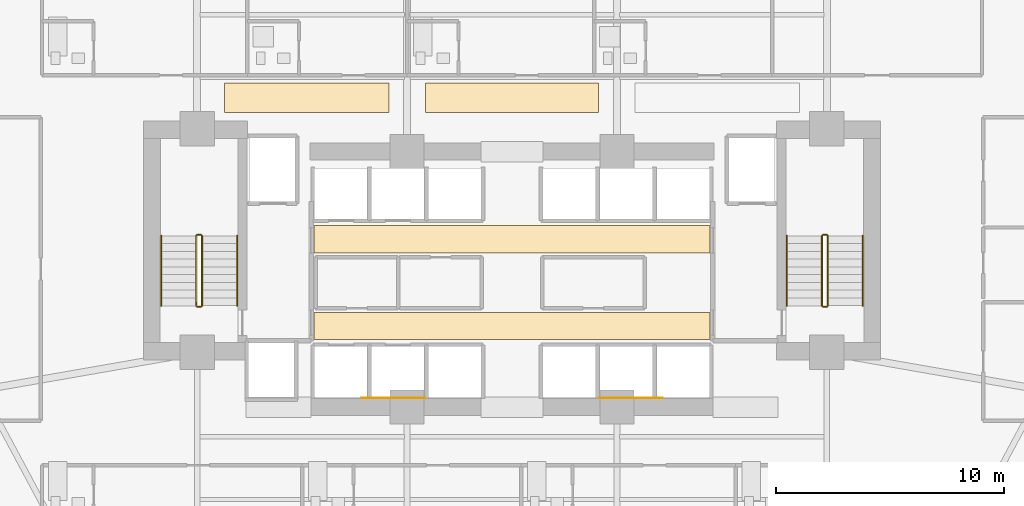
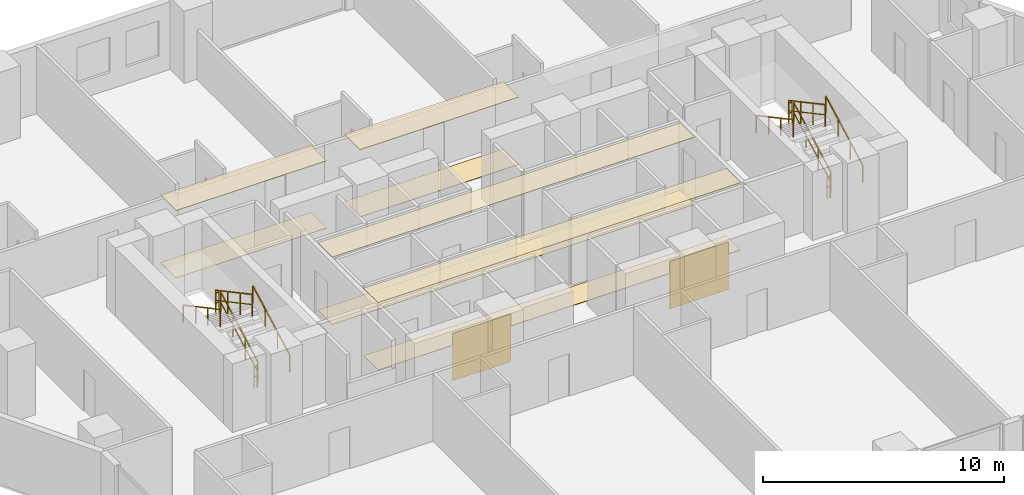
# One storey, part 25 of 27: 12 railings, 10 coverings.
"""IFC4 building model written with IfcOpenShell, lengths in metres."""

from ifc_helpers import new_model, si_unit, direction, frame, origin, origin_2d, place, context, subcontext, project, spatial, polyline, rectangle, outline, extrude, material, layer, layer_set, type_object, element, save


model = new_model("IFC4")

# Units and contexts
model_context = context("Model", 3, precision=1e-05, world=origin(), true_north=direction((0.0, 1.0)))
body_context = subcontext(model_context, "Body", "Model", "MODEL_VIEW")
ifc_project = project(units=[si_unit("LENGTHUNIT", "METRE"), si_unit("AREAUNIT", "SQUARE_METRE"), si_unit("VOLUMEUNIT", "CUBIC_METRE"), si_unit("PLANEANGLEUNIT", "RADIAN"), si_unit("MASSUNIT", "GRAM", prefix="KILO")], contexts=[model_context])

# Site, building, storey
site_placement = place(None, origin())
site = spatial("IfcSite", under=ifc_project, at=site_placement, CompositionType="ELEMENT")
building_placement = place(site_placement, origin())
building = spatial("IfcBuilding", under=site, at=building_placement, Name="Zuhayl Quay Hotel", CompositionType="ELEMENT")
storey_placement = place(building_placement, frame((0.0, 0.0, 124.85009765625)))
storey = spatial("IfcBuildingStorey", under=building, at=storey_placement, Name="L31", CompositionType="ELEMENT", Elevation=124.85009765625)

# Coverings
ifc_material_1 = material(Name="Acoustic Mineral-Fibre Gypsum Board")
ifc_layer_1 = layer(ifc_material_1, 0.02490234375, Name="Acoustic Mineral-Fibre Gypsum Board")
ifc_layer_set_1 = layer_set([ifc_layer_1], Name="Acoustic Mineral-Fibre Gypsum Board")
covering_type_1 = type_object("IfcCoveringType", Name="CV_CEIL_ACOUSTIC", PredefinedType="CEILING", material=ifc_layer_set_1)
covering_1_placement = place(storey_placement, frame((0.0, 0.0, 3.40478515625)))
element("IfcCovering", 1, at=covering_1_placement, inside=storey, type_object=covering_type_1, Name="L31 Suspended Acoustic Lobby Ceiling S", PredefinedType="CEILING", context=body_context, shape_type="SweptSolid", body=[
    extrude(outline(polyline([(-8.679931640625, 5.10009765625), (8.679931640625, 5.10009765625), (8.679931640625, 6.300048828125), (-8.679931640625, 6.300048828125), (-8.679931640625, 5.10009765625)])), origin(), (0.0, 0.0, 1.0), 0.025146484375),
])
covering_2_placement = place(storey_placement, frame((0.0, 0.0, 3.40478515625)))
element("IfcCovering", 2, at=covering_2_placement, inside=storey, type_object=covering_type_1, Name="L31 Suspended Acoustic Lobby Ceiling N", PredefinedType="CEILING", context=body_context, shape_type="SweptSolid", body=[
    extrude(outline(polyline([(-8.679931640625, 8.89990234375), (8.679931640625, 8.89990234375), (8.679931640625, 10.10009765625), (-8.679931640625, 10.10009765625), (-8.679931640625, 8.89990234375)])), origin(), (0.0, 0.0, 1.0), 0.025146484375),
])
covering_3_placement = place(storey_placement, frame((0.0, 0.0, 3.40478515625)))
element("IfcCovering", 3, at=covering_3_placement, inside=storey, type_object=covering_type_1, Name="L31 Guest Corridor Acoustic Ceiling CW", PredefinedType="CEILING", context=body_context, shape_type="SweptSolid", body=[
    extrude(outline(polyline([(-12.60009765625, 15.050048828125), (-5.39990234375, 15.050048828125), (-5.39990234375, 16.35009765625), (-12.60009765625, 16.35009765625), (-12.60009765625, 15.050048828125)])), origin(), (0.0, 0.0, 1.0), 0.025146484375),
])
covering_4_placement = place(storey_placement, frame((0.0, 0.0, 3.40478515625)))
element("IfcCovering", 4, at=covering_4_placement, inside=storey, type_object=covering_type_1, Name="L31 Guest Corridor Acoustic Ceiling CC", PredefinedType="CEILING", context=body_context, shape_type="SweptSolid", body=[
    extrude(outline(polyline([(-3.800048828125, 15.050048828125), (3.800048828125, 15.050048828125), (3.800048828125, 16.35009765625), (-3.800048828125, 16.35009765625), (-3.800048828125, 15.050048828125)])), origin(), (0.0, 0.0, 1.0), 0.025146484375),
])
ifc_material_2 = material(Name="Polished Limestone Terrazzo", Category="masonry")
ifc_layer_2 = layer(ifc_material_2, 0.02001953125, Name="Polished Limestone Terrazzo", Category="masonry")
ifc_layer_set_2 = layer_set([ifc_layer_2], Name="Polished Limestone Terrazzo")
covering_type_2 = type_object("IfcCoveringType", Name="CV_FLOOR_TERRAZZO", PredefinedType="FLOORING", material=ifc_layer_set_2)
covering_5_placement = place(storey_placement, origin())
element("IfcCovering", 5, at=covering_5_placement, inside=storey, type_object=covering_type_2, Name="L31 Honed Limestone Terrazzo Lobby Flooring S", PredefinedType="FLOORING", context=body_context, shape_type="SweptSolid", body=[
    extrude(outline(polyline([(-8.679931640625, 5.10009765625), (8.679931640625, 5.10009765625), (8.679931640625, 6.300048828125), (-8.679931640625, 6.300048828125), (-8.679931640625, 5.10009765625)])), origin(), (0.0, 0.0, 1.0), 0.02001953125),
])
covering_6_placement = place(storey_placement, origin())
element("IfcCovering", 6, at=covering_6_placement, inside=storey, type_object=covering_type_2, Name="L31 Honed Limestone Terrazzo Lobby Flooring N", PredefinedType="FLOORING", context=body_context, shape_type="SweptSolid", body=[
    extrude(outline(polyline([(-8.679931640625, 8.89990234375), (8.679931640625, 8.89990234375), (8.679931640625, 10.10009765625), (-8.679931640625, 10.10009765625), (-8.679931640625, 8.89990234375)])), origin(), (0.0, 0.0, 1.0), 0.02001953125),
])
covering_7_placement = place(storey_placement, origin())
element("IfcCovering", 7, at=covering_7_placement, inside=storey, type_object=covering_type_2, Name="L31 Guest Corridor Terrazzo Runner CW", PredefinedType="FLOORING", context=body_context, shape_type="SweptSolid", body=[
    extrude(outline(polyline([(-12.60009765625, 15.050048828125), (-5.39990234375, 15.050048828125), (-5.39990234375, 16.35009765625), (-12.60009765625, 16.35009765625), (-12.60009765625, 15.050048828125)])), origin(), (0.0, 0.0, 1.0), 0.02001953125),
])
covering_8_placement = place(storey_placement, origin())
element("IfcCovering", 8, at=covering_8_placement, inside=storey, type_object=covering_type_2, Name="L31 Guest Corridor Terrazzo Runner CC", PredefinedType="FLOORING", context=body_context, shape_type="SweptSolid", body=[
    extrude(outline(polyline([(-3.800048828125, 15.050048828125), (3.800048828125, 15.050048828125), (3.800048828125, 16.35009765625), (-3.800048828125, 16.35009765625), (-3.800048828125, 15.050048828125)])), origin(), (0.0, 0.0, 1.0), 0.02001953125),
])
ifc_material_3 = material(Name="Acoustic Walnut Feature Timber", Category="wood")
ifc_layer_3 = layer(ifc_material_3, 0.02197265625, Name="Acoustic Walnut Feature Timber", Category="wood")
ifc_layer_set_3 = layer_set([ifc_layer_3], Name="Acoustic Walnut Feature Timber")
covering_type_3 = type_object("IfcCoveringType", Name="CV_WALL_CLAD", PredefinedType="CLADDING", material=ifc_layer_set_3)
for number, where, z_axis, x_axis, name in (
    (9, (-5.199951171875, 2.535888671875, 0.300048828125), (0.0, 0.0, 1.0), (1.0, 0.0, 0.0), "L31 Feature Lobby Walnut Wall Cladding W"),
    (10, (5.199951171875, 2.535888671875, 0.300048828125), (0.0, 0.0, 1.0), (1.0, 0.0, 0.0), "L31 Feature Lobby Walnut Wall Cladding E"),
):
    element("IfcCovering", number, at=place(storey_placement, frame(where, z_axis=z_axis, x_axis=x_axis)), inside=storey, type_object=covering_type_3, Name=name, PredefinedType="CLADDING", context=body_context, shape_type="SweptSolid", body=[
        extrude(rectangle(XDim=2.800048828125, YDim=0.02197265625, at=origin_2d()), origin(), (0.0, 0.0, 1.0), 2.39990234375),
    ])

# Railings
ifc_material_4 = material(Name="Steel ASTM A992 Grade 50", Category="steel")
railing_type_1 = type_object("IfcRailingType", Name="RL_GUARD_1100", PredefinedType="GUARDRAIL", material=ifc_material_4)
railing_1_placement = place(storey_placement, frame((-13.590087890625, 6.590087890625, 0.182373046875)))
element("IfcRailing", 11, at=railing_1_placement, inside=storey, type_object=railing_type_1, Name="L31 ST1 stair guard 1", PredefinedType="GUARDRAIL", context=body_context, shape_type="SweptSolid", body=[
    extrude(rectangle(XDim=0.048095703125, YDim=0.048095703125, at=origin_2d()), frame((0.0, 0.0, 1.09619140625), z_axis=(0.0, 0.88107310026, 0.472980117973), x_axis=(-1.0, 0.0, 0.0)), (0.0, 0.0, 1.0), 3.472900390625),
    extrude(rectangle(XDim=0.0361328125, YDim=0.0361328125, at=origin_2d()), frame((0.0, 0.0, 0.58251953125), z_axis=(0.0, 0.88107310026, 0.472980117973), x_axis=(-1.0, 0.0, 0.0)), (0.0, 0.0, 1.0), 3.472900390625),
    extrude(rectangle(XDim=0.0419921875, YDim=0.0419921875, at=origin_2d()), origin(), (0.0, 0.0, 1.0), 1.072021484375),
    extrude(rectangle(XDim=0.0419921875, YDim=0.0419921875, at=origin_2d()), frame((0.0, 1.02001953125, 0.547607421875)), (0.0, 0.0, 1.0), 1.072021484375),
    extrude(rectangle(XDim=0.0419921875, YDim=0.0419921875, at=origin_2d()), frame((0.0, 2.039794921875, 1.094970703125)), (0.0, 0.0, 1.0), 1.072021484375),
    extrude(rectangle(XDim=0.0419921875, YDim=0.0419921875, at=origin_2d()), frame((0.0, 3.059814453125, 1.642578125)), (0.0, 0.0, 1.0), 1.072021484375),
])
railing_2_placement = place(storey_placement, frame((-13.639892578125, 9.699951171875, 1.824951171875)))
element("IfcRailing", 12, at=railing_2_placement, inside=storey, type_object=railing_type_1, Name="L31 ST1 stair guard 2", PredefinedType="GUARDRAIL", context=body_context, shape_type="SweptSolid", body=[
    extrude(rectangle(XDim=0.048095703125, YDim=0.048095703125, at=origin_2d()), frame((0.0, 0.0, 1.09619140625), z_axis=(-1.0, 0.0, 0.0), x_axis=(0.0, -1.0, 0.0)), (0.0, 0.0, 1.0), 0.150146484375),
    extrude(rectangle(XDim=0.0361328125, YDim=0.0361328125, at=origin_2d()), frame((0.0, 0.0, 0.58251953125), z_axis=(-1.0, 0.0, 0.0), x_axis=(0.0, -1.0, 0.0)), (0.0, 0.0, 1.0), 0.150146484375),
    extrude(rectangle(XDim=0.0419921875, YDim=0.0419921875, at=origin_2d()), origin(), (0.0, 0.0, 1.0), 1.072021484375),
    extrude(rectangle(XDim=0.0419921875, YDim=0.0419921875, at=origin_2d()), frame((-0.150146484375, 0.0, 0.0)), (0.0, 0.0, 1.0), 1.072021484375),
])
railing_3_placement = place(storey_placement, frame((-13.840087890625, 9.64990234375, 2.00732421875)))
element("IfcRailing", 13, at=railing_3_placement, inside=storey, type_object=railing_type_1, Name="L31 ST1 stair guard 3", PredefinedType="GUARDRAIL", context=body_context, shape_type="SweptSolid", body=[
    extrude(rectangle(XDim=0.048095703125, YDim=0.048095703125, at=origin_2d()), frame((0.0, 0.0, 1.09619140625), z_axis=(0.0, -0.88107310026, 0.472980117973), x_axis=(1.0, 0.0, 0.0)), (0.0, 0.0, 1.0), 3.472900390625),
    extrude(rectangle(XDim=0.0361328125, YDim=0.0361328125, at=origin_2d()), frame((0.0, 0.0, 0.58251953125), z_axis=(0.0, -0.88107310026, 0.472980117973), x_axis=(1.0, 0.0, 0.0)), (0.0, 0.0, 1.0), 3.472900390625),
    extrude(rectangle(XDim=0.0419921875, YDim=0.0419921875, at=origin_2d()), origin(), (0.0, 0.0, 1.0), 1.072021484375),
    extrude(rectangle(XDim=0.0419921875, YDim=0.0419921875, at=origin_2d()), frame((0.0, -1.02001953125, 0.547607421875)), (0.0, 0.0, 1.0), 1.072021484375),
    extrude(rectangle(XDim=0.0419921875, YDim=0.0419921875, at=origin_2d()), frame((0.0, -2.039794921875, 1.094970703125)), (0.0, 0.0, 1.0), 1.072021484375),
    extrude(rectangle(XDim=0.0419921875, YDim=0.0419921875, at=origin_2d()), frame((0.0, -3.059814453125, 1.642578125)), (0.0, 0.0, 1.0), 1.072021484375),
])
railing_4_placement = place(storey_placement, frame((-13.639892578125, 6.5400390625, 0.0)))
element("IfcRailing", 14, at=railing_4_placement, inside=storey, type_object=railing_type_1, Name="L31 ST1 stair guard 4", PredefinedType="GUARDRAIL", context=body_context, shape_type="SweptSolid", body=[
    extrude(rectangle(XDim=0.048095703125, YDim=0.048095703125, at=origin_2d()), frame((0.0, 0.0, 1.09619140625), z_axis=(-1.0, 0.0, 0.0), x_axis=(0.0, -1.0, 0.0)), (0.0, 0.0, 1.0), 0.150146484375),
    extrude(rectangle(XDim=0.0361328125, YDim=0.0361328125, at=origin_2d()), frame((0.0, 0.0, 0.58251953125), z_axis=(-1.0, 0.0, 0.0), x_axis=(0.0, -1.0, 0.0)), (0.0, 0.0, 1.0), 0.150146484375),
    extrude(rectangle(XDim=0.0419921875, YDim=0.0419921875, at=origin_2d()), origin(), (0.0, 0.0, 1.0), 1.072021484375),
    extrude(rectangle(XDim=0.0419921875, YDim=0.0419921875, at=origin_2d()), frame((-0.150146484375, 0.0, 0.0)), (0.0, 0.0, 1.0), 1.072021484375),
])
railing_5_placement = place(storey_placement, frame((13.840087890625, 6.590087890625, 0.182373046875)))
element("IfcRailing", 15, at=railing_5_placement, inside=storey, type_object=railing_type_1, Name="L31 ST2 stair guard 1", PredefinedType="GUARDRAIL", context=body_context, shape_type="SweptSolid", body=[
    extrude(rectangle(XDim=0.048095703125, YDim=0.048095703125, at=origin_2d()), frame((0.0, 0.0, 1.09619140625), z_axis=(0.0, 0.88107310026, 0.472980117973), x_axis=(-1.0, 0.0, 0.0)), (0.0, 0.0, 1.0), 3.472900390625),
    extrude(rectangle(XDim=0.0361328125, YDim=0.0361328125, at=origin_2d()), frame((0.0, 0.0, 0.58251953125), z_axis=(0.0, 0.88107310026, 0.472980117973), x_axis=(-1.0, 0.0, 0.0)), (0.0, 0.0, 1.0), 3.472900390625),
    extrude(rectangle(XDim=0.0419921875, YDim=0.0419921875, at=origin_2d()), origin(), (0.0, 0.0, 1.0), 1.072021484375),
    extrude(rectangle(XDim=0.0419921875, YDim=0.0419921875, at=origin_2d()), frame((0.0, 1.02001953125, 0.547607421875)), (0.0, 0.0, 1.0), 1.072021484375),
    extrude(rectangle(XDim=0.0419921875, YDim=0.0419921875, at=origin_2d()), frame((0.0, 2.039794921875, 1.094970703125)), (0.0, 0.0, 1.0), 1.072021484375),
    extrude(rectangle(XDim=0.0419921875, YDim=0.0419921875, at=origin_2d()), frame((0.0, 3.059814453125, 1.642578125)), (0.0, 0.0, 1.0), 1.072021484375),
])
railing_6_placement = place(storey_placement, frame((13.7900390625, 9.699951171875, 1.824951171875)))
element("IfcRailing", 16, at=railing_6_placement, inside=storey, type_object=railing_type_1, Name="L31 ST2 stair guard 2", PredefinedType="GUARDRAIL", context=body_context, shape_type="SweptSolid", body=[
    extrude(rectangle(XDim=0.048095703125, YDim=0.048095703125, at=origin_2d()), frame((0.0, 0.0, 1.09619140625), z_axis=(-1.0, 0.0, 0.0), x_axis=(0.0, -1.0, 0.0)), (0.0, 0.0, 1.0), 0.150146484375),
    extrude(rectangle(XDim=0.0361328125, YDim=0.0361328125, at=origin_2d()), frame((0.0, 0.0, 0.58251953125), z_axis=(-1.0, 0.0, 0.0), x_axis=(0.0, -1.0, 0.0)), (0.0, 0.0, 1.0), 0.150146484375),
    extrude(rectangle(XDim=0.0419921875, YDim=0.0419921875, at=origin_2d()), origin(), (0.0, 0.0, 1.0), 1.072021484375),
    extrude(rectangle(XDim=0.0419921875, YDim=0.0419921875, at=origin_2d()), frame((-0.150146484375, 0.0, 0.0)), (0.0, 0.0, 1.0), 1.072021484375),
])
railing_7_placement = place(storey_placement, frame((13.590087890625, 9.64990234375, 2.00732421875)))
element("IfcRailing", 17, at=railing_7_placement, inside=storey, type_object=railing_type_1, Name="L31 ST2 stair guard 3", PredefinedType="GUARDRAIL", context=body_context, shape_type="SweptSolid", body=[
    extrude(rectangle(XDim=0.048095703125, YDim=0.048095703125, at=origin_2d()), frame((0.0, 0.0, 1.09619140625), z_axis=(0.0, -0.88107310026, 0.472980117973), x_axis=(1.0, 0.0, 0.0)), (0.0, 0.0, 1.0), 3.472900390625),
    extrude(rectangle(XDim=0.0361328125, YDim=0.0361328125, at=origin_2d()), frame((0.0, 0.0, 0.58251953125), z_axis=(0.0, -0.88107310026, 0.472980117973), x_axis=(1.0, 0.0, 0.0)), (0.0, 0.0, 1.0), 3.472900390625),
    extrude(rectangle(XDim=0.0419921875, YDim=0.0419921875, at=origin_2d()), origin(), (0.0, 0.0, 1.0), 1.072021484375),
    extrude(rectangle(XDim=0.0419921875, YDim=0.0419921875, at=origin_2d()), frame((0.0, -1.02001953125, 0.547607421875)), (0.0, 0.0, 1.0), 1.072021484375),
    extrude(rectangle(XDim=0.0419921875, YDim=0.0419921875, at=origin_2d()), frame((0.0, -2.039794921875, 1.094970703125)), (0.0, 0.0, 1.0), 1.072021484375),
    extrude(rectangle(XDim=0.0419921875, YDim=0.0419921875, at=origin_2d()), frame((0.0, -3.059814453125, 1.642578125)), (0.0, 0.0, 1.0), 1.072021484375),
])
railing_8_placement = place(storey_placement, frame((13.7900390625, 6.5400390625, 0.0)))
element("IfcRailing", 18, at=railing_8_placement, inside=storey, type_object=railing_type_1, Name="L31 ST2 stair guard 4", PredefinedType="GUARDRAIL", context=body_context, shape_type="SweptSolid", body=[
    extrude(rectangle(XDim=0.048095703125, YDim=0.048095703125, at=origin_2d()), frame((0.0, 0.0, 1.09619140625), z_axis=(-1.0, 0.0, 0.0), x_axis=(0.0, -1.0, 0.0)), (0.0, 0.0, 1.0), 0.150146484375),
    extrude(rectangle(XDim=0.0361328125, YDim=0.0361328125, at=origin_2d()), frame((0.0, 0.0, 0.58251953125), z_axis=(-1.0, 0.0, 0.0), x_axis=(0.0, -1.0, 0.0)), (0.0, 0.0, 1.0), 0.150146484375),
    extrude(rectangle(XDim=0.0419921875, YDim=0.0419921875, at=origin_2d()), origin(), (0.0, 0.0, 1.0), 1.072021484375),
    extrude(rectangle(XDim=0.0419921875, YDim=0.0419921875, at=origin_2d()), frame((-0.150146484375, 0.0, 0.0)), (0.0, 0.0, 1.0), 1.072021484375),
])
railing_type_2 = type_object("IfcRailingType", Name="RL_HANDRAIL_920", PredefinedType="HANDRAIL", material=ifc_material_4)
railing_9_placement = place(storey_placement, frame((-12.050048828125, 6.590087890625, 0.182373046875)))
element("IfcRailing", 19, at=railing_9_placement, inside=storey, type_object=railing_type_2, Name="L31 ST1 stair handrail 1", PredefinedType="HANDRAIL", context=body_context, shape_type="SweptSolid", body=[
    extrude(rectangle(XDim=0.048095703125, YDim=0.048095703125, at=origin_2d()), frame((0.0, 0.0, 0.8759765625), z_axis=(0.0, 0.88107310026, 0.472980117973), x_axis=(-1.0, 0.0, 0.0)), (0.0, 0.0, 1.0), 3.472900390625),
    extrude(rectangle(XDim=0.0419921875, YDim=0.0419921875, at=origin_2d()), origin(), (0.0, 0.0, 1.0), 0.851806640625),
    extrude(rectangle(XDim=0.0419921875, YDim=0.0419921875, at=origin_2d()), frame((0.0, 1.02001953125, 0.547607421875)), (0.0, 0.0, 1.0), 0.851806640625),
    extrude(rectangle(XDim=0.0419921875, YDim=0.0419921875, at=origin_2d()), frame((0.0, 2.039794921875, 1.094970703125)), (0.0, 0.0, 1.0), 0.851806640625),
    extrude(rectangle(XDim=0.0419921875, YDim=0.0419921875, at=origin_2d()), frame((0.0, 3.059814453125, 1.642578125)), (0.0, 0.0, 1.0), 0.851806640625),
])
railing_10_placement = place(storey_placement, frame((-15.3798828125, 9.64990234375, 2.00732421875)))
element("IfcRailing", 20, at=railing_10_placement, inside=storey, type_object=railing_type_2, Name="L31 ST1 stair handrail 2", PredefinedType="HANDRAIL", context=body_context, shape_type="SweptSolid", body=[
    extrude(rectangle(XDim=0.048095703125, YDim=0.048095703125, at=origin_2d()), frame((0.0, 0.0, 0.8759765625), z_axis=(0.0, -0.88107310026, 0.472980117973), x_axis=(1.0, 0.0, 0.0)), (0.0, 0.0, 1.0), 3.472900390625),
    extrude(rectangle(XDim=0.0419921875, YDim=0.0419921875, at=origin_2d()), origin(), (0.0, 0.0, 1.0), 0.851806640625),
    extrude(rectangle(XDim=0.0419921875, YDim=0.0419921875, at=origin_2d()), frame((0.0, -1.02001953125, 0.547607421875)), (0.0, 0.0, 1.0), 0.851806640625),
    extrude(rectangle(XDim=0.0419921875, YDim=0.0419921875, at=origin_2d()), frame((0.0, -2.039794921875, 1.094970703125)), (0.0, 0.0, 1.0), 0.851806640625),
    extrude(rectangle(XDim=0.0419921875, YDim=0.0419921875, at=origin_2d()), frame((0.0, -3.059814453125, 1.642578125)), (0.0, 0.0, 1.0), 0.851806640625),
])
railing_11_placement = place(storey_placement, frame((15.3798828125, 6.590087890625, 0.182373046875)))
element("IfcRailing", 21, at=railing_11_placement, inside=storey, type_object=railing_type_2, Name="L31 ST2 stair handrail 1", PredefinedType="HANDRAIL", context=body_context, shape_type="SweptSolid", body=[
    extrude(rectangle(XDim=0.048095703125, YDim=0.048095703125, at=origin_2d()), frame((0.0, 0.0, 0.8759765625), z_axis=(0.0, 0.88107310026, 0.472980117973), x_axis=(-1.0, 0.0, 0.0)), (0.0, 0.0, 1.0), 3.472900390625),
    extrude(rectangle(XDim=0.0419921875, YDim=0.0419921875, at=origin_2d()), origin(), (0.0, 0.0, 1.0), 0.851806640625),
    extrude(rectangle(XDim=0.0419921875, YDim=0.0419921875, at=origin_2d()), frame((0.0, 1.02001953125, 0.547607421875)), (0.0, 0.0, 1.0), 0.851806640625),
    extrude(rectangle(XDim=0.0419921875, YDim=0.0419921875, at=origin_2d()), frame((0.0, 2.039794921875, 1.094970703125)), (0.0, 0.0, 1.0), 0.851806640625),
    extrude(rectangle(XDim=0.0419921875, YDim=0.0419921875, at=origin_2d()), frame((0.0, 3.059814453125, 1.642578125)), (0.0, 0.0, 1.0), 0.851806640625),
])
railing_12_placement = place(storey_placement, frame((12.050048828125, 9.64990234375, 2.00732421875)))
element("IfcRailing", 22, at=railing_12_placement, inside=storey, type_object=railing_type_2, Name="L31 ST2 stair handrail 2", PredefinedType="HANDRAIL", context=body_context, shape_type="SweptSolid", body=[
    extrude(rectangle(XDim=0.048095703125, YDim=0.048095703125, at=origin_2d()), frame((0.0, 0.0, 0.8759765625), z_axis=(0.0, -0.88107310026, 0.472980117973), x_axis=(1.0, 0.0, 0.0)), (0.0, 0.0, 1.0), 3.472900390625),
    extrude(rectangle(XDim=0.0419921875, YDim=0.0419921875, at=origin_2d()), origin(), (0.0, 0.0, 1.0), 0.851806640625),
    extrude(rectangle(XDim=0.0419921875, YDim=0.0419921875, at=origin_2d()), frame((0.0, -1.02001953125, 0.547607421875)), (0.0, 0.0, 1.0), 0.851806640625),
    extrude(rectangle(XDim=0.0419921875, YDim=0.0419921875, at=origin_2d()), frame((0.0, -2.039794921875, 1.094970703125)), (0.0, 0.0, 1.0), 0.851806640625),
    extrude(rectangle(XDim=0.0419921875, YDim=0.0419921875, at=origin_2d()), frame((0.0, -3.059814453125, 1.642578125)), (0.0, 0.0, 1.0), 0.851806640625),
])

save(model, "model.ifc")
